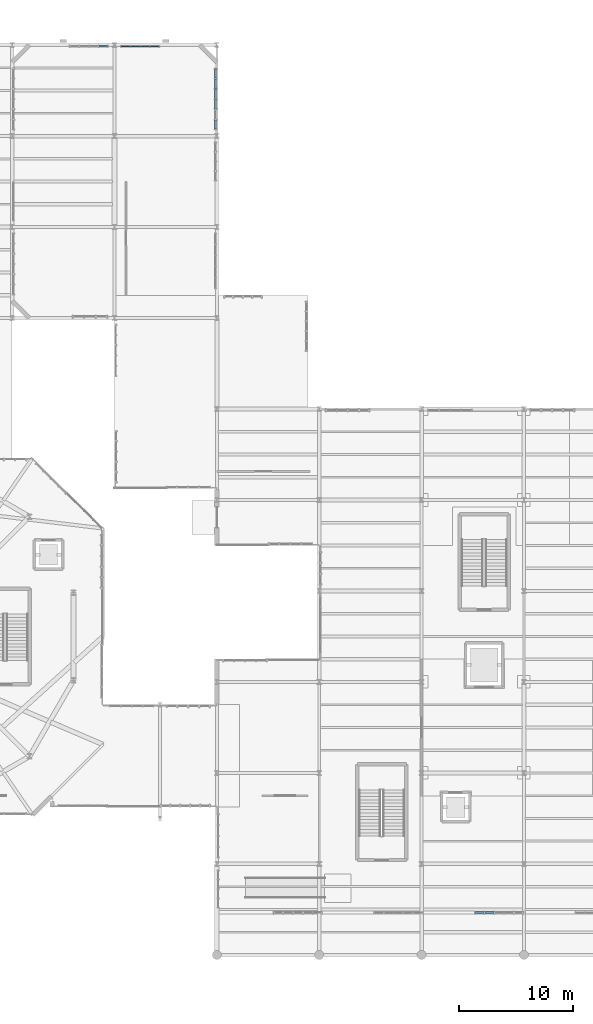
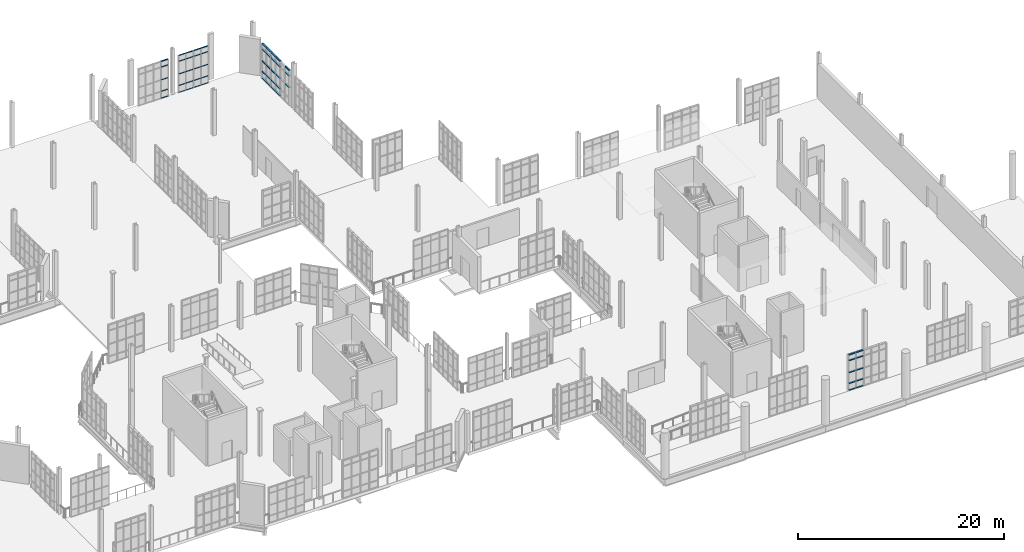
# One storey, part 138 of 189: 58 members, 4 elements without a shape of their own.
"""IFC4 building model written with IfcOpenShell, lengths in metres."""

from ifc_helpers import new_model, si_unit, direction, frame, origin, origin_2d, place, context, subcontext, project, spatial, hollow_rectangle, extrude, material, layer, layer_set, material_profile, profile_set, type_object, element, aggregate, save


model = new_model("IFC4")

# Units and contexts
model_context = context("Model", 3, precision=1e-05, world=origin(), true_north=direction((0.0, 1.0)))
body_context = subcontext(model_context, "Body", "Model", "MODEL_VIEW")
ifc_project = project(units=[si_unit("LENGTHUNIT", "METRE"), si_unit("AREAUNIT", "SQUARE_METRE"), si_unit("VOLUMEUNIT", "CUBIC_METRE"), si_unit("PLANEANGLEUNIT", "RADIAN"), si_unit("MASSUNIT", "GRAM", prefix="KILO"), si_unit("THERMODYNAMICTEMPERATUREUNIT", "KELVIN"), si_unit("POWERUNIT", "WATT")], contexts=[model_context])

# Site, building, storey
site_placement = place(None, origin())
site = spatial("IfcSite", under=ifc_project, at=site_placement, CompositionType="ELEMENT")
building_placement = place(site_placement, origin())
building = spatial("IfcBuilding", under=site, at=building_placement, Name="Zelmaris Science Centre", CompositionType="ELEMENT")
storey_placement = place(building_placement, origin())
storey = spatial("IfcBuildingStorey", under=building, at=storey_placement, Name="L00", CompositionType="ELEMENT", Elevation=0.0)

# Curtain wall, members
ifc_material = material(Name="Anodised architectural aluminium 6063-T6", Category="aluminium")
ifc_layer_1 = layer(ifc_material, 0.219970703125, Name="Anodised architectural aluminium 6063-T6")
ifc_layer_set_1 = layer_set([ifc_layer_1], Name="Anodised architectural aluminium 6063-T6")
curtain_wall_type_1 = type_object("IfcCurtainWallType", Name="Curtain Wall CW-04", PredefinedType="USERDEFINED", material=ifc_layer_set_1)
curtain_wall_1_placement = place(storey_placement, origin())
curtain_wall_1 = element("IfcCurtainWall", 1, at=curtain_wall_1_placement, inside=storey, type_object=curtain_wall_type_1, Name="L00 Unitised curtain wall 84", ObjectType="GLAZED CURTAIN WALL", PredefinedType="USERDEFINED")
ifc_material_profile_1 = material_profile(ifc_material, hollow_rectangle(XDim=0.06005859375, YDim=0.110107421875, WallThickness=0.0029296875, at=origin_2d()), Name="ALU-TRN-60X110")
ifc_profile_set_1 = profile_set([ifc_material_profile_1], Name="Anodised architectural aluminium 6063-T6")
member_type_1 = type_object("IfcMemberType", Name="ALU-TRN-60X110", PredefinedType="USERDEFINED", material=ifc_profile_set_1)
member_1_placement = place(storey_placement, frame((99.592041015625, 87.8798828125, 0.010986328125), z_axis=(1.0, 0.0, 0.0), x_axis=(0.0, 0.0, 1.0)))
member_1 = element("IfcMember", 2, at=member_1_placement, type_object=member_type_1, Name="CW-04 transom 1.1", ObjectType="TRANSOM", PredefinedType="USERDEFINED", context=body_context, shape_type="SweptSolid", body=[
    extrude(hollow_rectangle(XDim=0.06005859375, YDim=0.110107421875, WallThickness=0.0029296875, at=origin_2d()), origin(), (0.0, 0.0, 1.0), 0.77685546875),
])
member_2_placement = place(storey_placement, frame((99.592041015625, 87.8798828125, 0.8349609375), z_axis=(1.0, 0.0, 0.0), x_axis=(0.0, 0.0, 1.0)))
member_2 = element("IfcMember", 3, at=member_2_placement, type_object=member_type_1, Name="CW-04 transom 1.2", ObjectType="TRANSOM", PredefinedType="USERDEFINED", context=body_context, shape_type="SweptSolid", body=[
    extrude(hollow_rectangle(XDim=0.06005859375, YDim=0.110107421875, WallThickness=0.0029296875, at=origin_2d()), origin(), (0.0, 0.0, 1.0), 0.77685546875),
])
member_3_placement = place(storey_placement, frame((99.592041015625, 87.8798828125, 2.193603515625), z_axis=(1.0, 0.0, 0.0), x_axis=(0.0, 0.0, 1.0)))
member_3 = element("IfcMember", 4, at=member_3_placement, type_object=member_type_1, Name="CW-04 transom 1.3", ObjectType="TRANSOM", PredefinedType="USERDEFINED", context=body_context, shape_type="SweptSolid", body=[
    extrude(hollow_rectangle(XDim=0.06005859375, YDim=0.110107421875, WallThickness=0.0029296875, at=origin_2d()), origin(), (0.0, 0.0, 1.0), 0.77685546875),
])
member_4_placement = place(storey_placement, frame((99.592041015625, 87.8798828125, 3.701904296875), z_axis=(1.0, 0.0, 0.0), x_axis=(0.0, 0.0, 1.0)))
member_4 = element("IfcMember", 5, at=member_4_placement, type_object=member_type_1, Name="CW-04 transom 1.4", ObjectType="TRANSOM", PredefinedType="USERDEFINED", context=body_context, shape_type="SweptSolid", body=[
    extrude(hollow_rectangle(XDim=0.06005859375, YDim=0.110107421875, WallThickness=0.0029296875, at=origin_2d()), origin(), (0.0, 0.0, 1.0), 0.77685546875),
])
member_5_placement = place(storey_placement, frame((99.592041015625, 87.8798828125, 4.3759765625), z_axis=(1.0, 0.0, 0.0), x_axis=(0.0, 0.0, 1.0)))
member_5 = element("IfcMember", 6, at=member_5_placement, type_object=member_type_1, Name="CW-04 transom 1.5", ObjectType="TRANSOM", PredefinedType="USERDEFINED", context=body_context, shape_type="SweptSolid", body=[
    extrude(hollow_rectangle(XDim=0.06005859375, YDim=0.110107421875, WallThickness=0.0029296875, at=origin_2d()), origin(), (0.0, 0.0, 1.0), 0.77685546875),
])
member_6_placement = place(storey_placement, frame((100.4208984375, 87.8798828125, 0.010986328125), z_axis=(1.0, 0.0, 0.0), x_axis=(0.0, 0.0, 1.0)))
member_6 = element("IfcMember", 7, at=member_6_placement, type_object=member_type_1, Name="CW-04 transom 2.1", ObjectType="TRANSOM", PredefinedType="USERDEFINED", context=body_context, shape_type="SweptSolid", body=[
    extrude(hollow_rectangle(XDim=0.06005859375, YDim=0.110107421875, WallThickness=0.0029296875, at=origin_2d()), origin(), (0.0, 0.0, 1.0), 0.80322265625),
])
member_7_placement = place(storey_placement, frame((100.4208984375, 87.8798828125, 0.8349609375), z_axis=(1.0, 0.0, 0.0), x_axis=(0.0, 0.0, 1.0)))
member_7 = element("IfcMember", 8, at=member_7_placement, type_object=member_type_1, Name="CW-04 transom 2.2", ObjectType="TRANSOM", PredefinedType="USERDEFINED", context=body_context, shape_type="SweptSolid", body=[
    extrude(hollow_rectangle(XDim=0.06005859375, YDim=0.110107421875, WallThickness=0.0029296875, at=origin_2d()), origin(), (0.0, 0.0, 1.0), 0.80322265625),
])
member_8_placement = place(storey_placement, frame((100.4208984375, 87.8798828125, 2.193603515625), z_axis=(1.0, 0.0, 0.0), x_axis=(0.0, 0.0, 1.0)))
member_8 = element("IfcMember", 9, at=member_8_placement, type_object=member_type_1, Name="CW-04 transom 2.3", ObjectType="TRANSOM", PredefinedType="USERDEFINED", context=body_context, shape_type="SweptSolid", body=[
    extrude(hollow_rectangle(XDim=0.06005859375, YDim=0.110107421875, WallThickness=0.0029296875, at=origin_2d()), origin(), (0.0, 0.0, 1.0), 0.80322265625),
])
member_9_placement = place(storey_placement, frame((100.4208984375, 87.8798828125, 3.701904296875), z_axis=(1.0, 0.0, 0.0), x_axis=(0.0, 0.0, 1.0)))
member_9 = element("IfcMember", 10, at=member_9_placement, type_object=member_type_1, Name="CW-04 transom 2.4", ObjectType="TRANSOM", PredefinedType="USERDEFINED", context=body_context, shape_type="SweptSolid", body=[
    extrude(hollow_rectangle(XDim=0.06005859375, YDim=0.110107421875, WallThickness=0.0029296875, at=origin_2d()), origin(), (0.0, 0.0, 1.0), 0.80322265625),
])
member_10_placement = place(storey_placement, frame((100.4208984375, 87.8798828125, 4.3759765625), z_axis=(1.0, 0.0, 0.0), x_axis=(0.0, 0.0, 1.0)))
member_10 = element("IfcMember", 11, at=member_10_placement, type_object=member_type_1, Name="CW-04 transom 2.5", ObjectType="TRANSOM", PredefinedType="USERDEFINED", context=body_context, shape_type="SweptSolid", body=[
    extrude(hollow_rectangle(XDim=0.06005859375, YDim=0.110107421875, WallThickness=0.0029296875, at=origin_2d()), origin(), (0.0, 0.0, 1.0), 0.80322265625),
])
member_11_placement = place(storey_placement, frame((101.27587890625, 87.8798828125, 0.010986328125), z_axis=(1.0, 0.0, 0.0), x_axis=(0.0, 0.0, 1.0)))
member_11 = element("IfcMember", 12, at=member_11_placement, type_object=member_type_1, Name="CW-04 transom 3.1", ObjectType="TRANSOM", PredefinedType="USERDEFINED", context=body_context, shape_type="SweptSolid", body=[
    extrude(hollow_rectangle(XDim=0.06005859375, YDim=0.110107421875, WallThickness=0.0029296875, at=origin_2d()), origin(), (0.0, 0.0, 1.0), 0.80322265625),
])
member_12_placement = place(storey_placement, frame((101.27587890625, 87.8798828125, 0.8349609375), z_axis=(1.0, 0.0, 0.0), x_axis=(0.0, 0.0, 1.0)))
member_12 = element("IfcMember", 13, at=member_12_placement, type_object=member_type_1, Name="CW-04 transom 3.2", ObjectType="TRANSOM", PredefinedType="USERDEFINED", context=body_context, shape_type="SweptSolid", body=[
    extrude(hollow_rectangle(XDim=0.06005859375, YDim=0.110107421875, WallThickness=0.0029296875, at=origin_2d()), origin(), (0.0, 0.0, 1.0), 0.80322265625),
])
member_13_placement = place(storey_placement, frame((101.27587890625, 87.8798828125, 2.193603515625), z_axis=(1.0, 0.0, 0.0), x_axis=(0.0, 0.0, 1.0)))
member_13 = element("IfcMember", 14, at=member_13_placement, type_object=member_type_1, Name="CW-04 transom 3.3", ObjectType="TRANSOM", PredefinedType="USERDEFINED", context=body_context, shape_type="SweptSolid", body=[
    extrude(hollow_rectangle(XDim=0.06005859375, YDim=0.110107421875, WallThickness=0.0029296875, at=origin_2d()), origin(), (0.0, 0.0, 1.0), 0.80322265625),
])
member_14_placement = place(storey_placement, frame((101.27587890625, 87.8798828125, 3.701904296875), z_axis=(1.0, 0.0, 0.0), x_axis=(0.0, 0.0, 1.0)))
member_14 = element("IfcMember", 15, at=member_14_placement, type_object=member_type_1, Name="CW-04 transom 3.4", ObjectType="TRANSOM", PredefinedType="USERDEFINED", context=body_context, shape_type="SweptSolid", body=[
    extrude(hollow_rectangle(XDim=0.06005859375, YDim=0.110107421875, WallThickness=0.0029296875, at=origin_2d()), origin(), (0.0, 0.0, 1.0), 0.80322265625),
])
member_15_placement = place(storey_placement, frame((101.27587890625, 87.8798828125, 4.3759765625), z_axis=(1.0, 0.0, 0.0), x_axis=(0.0, 0.0, 1.0)))
member_15 = element("IfcMember", 16, at=member_15_placement, type_object=member_type_1, Name="CW-04 transom 3.5", ObjectType="TRANSOM", PredefinedType="USERDEFINED", context=body_context, shape_type="SweptSolid", body=[
    extrude(hollow_rectangle(XDim=0.06005859375, YDim=0.110107421875, WallThickness=0.0029296875, at=origin_2d()), origin(), (0.0, 0.0, 1.0), 0.80322265625),
])
member_16_placement = place(storey_placement, frame((102.131103515625, 87.8798828125, 0.010986328125), z_axis=(1.0, 0.0, 0.0), x_axis=(0.0, 0.0, 1.0)))
member_16 = element("IfcMember", 17, at=member_16_placement, type_object=member_type_1, Name="CW-04 transom 4.1", ObjectType="TRANSOM", PredefinedType="USERDEFINED", context=body_context, shape_type="SweptSolid", body=[
    extrude(hollow_rectangle(XDim=0.06005859375, YDim=0.110107421875, WallThickness=0.0029296875, at=origin_2d()), origin(), (0.0, 0.0, 1.0), 0.77685546875),
])
member_17_placement = place(storey_placement, frame((102.131103515625, 87.8798828125, 0.8349609375), z_axis=(1.0, 0.0, 0.0), x_axis=(0.0, 0.0, 1.0)))
member_17 = element("IfcMember", 18, at=member_17_placement, type_object=member_type_1, Name="CW-04 transom 4.2", ObjectType="TRANSOM", PredefinedType="USERDEFINED", context=body_context, shape_type="SweptSolid", body=[
    extrude(hollow_rectangle(XDim=0.06005859375, YDim=0.110107421875, WallThickness=0.0029296875, at=origin_2d()), origin(), (0.0, 0.0, 1.0), 0.77685546875),
])
member_18_placement = place(storey_placement, frame((102.131103515625, 87.8798828125, 2.193603515625), z_axis=(1.0, 0.0, 0.0), x_axis=(0.0, 0.0, 1.0)))
member_18 = element("IfcMember", 19, at=member_18_placement, type_object=member_type_1, Name="CW-04 transom 4.3", ObjectType="TRANSOM", PredefinedType="USERDEFINED", context=body_context, shape_type="SweptSolid", body=[
    extrude(hollow_rectangle(XDim=0.06005859375, YDim=0.110107421875, WallThickness=0.0029296875, at=origin_2d()), origin(), (0.0, 0.0, 1.0), 0.77685546875),
])
member_19_placement = place(storey_placement, frame((102.131103515625, 87.8798828125, 3.701904296875), z_axis=(1.0, 0.0, 0.0), x_axis=(0.0, 0.0, 1.0)))
member_19 = element("IfcMember", 20, at=member_19_placement, type_object=member_type_1, Name="CW-04 transom 4.4", ObjectType="TRANSOM", PredefinedType="USERDEFINED", context=body_context, shape_type="SweptSolid", body=[
    extrude(hollow_rectangle(XDim=0.06005859375, YDim=0.110107421875, WallThickness=0.0029296875, at=origin_2d()), origin(), (0.0, 0.0, 1.0), 0.77685546875),
])
member_20_placement = place(storey_placement, frame((102.131103515625, 87.8798828125, 4.3759765625), z_axis=(1.0, 0.0, 0.0), x_axis=(0.0, 0.0, 1.0)))
member_20 = element("IfcMember", 21, at=member_20_placement, type_object=member_type_1, Name="CW-04 transom 4.5", ObjectType="TRANSOM", PredefinedType="USERDEFINED", context=body_context, shape_type="SweptSolid", body=[
    extrude(hollow_rectangle(XDim=0.06005859375, YDim=0.110107421875, WallThickness=0.0029296875, at=origin_2d()), origin(), (0.0, 0.0, 1.0), 0.77685546875),
])
aggregate(curtain_wall_1, [member_1, member_2, member_3, member_4, member_5, member_6, member_7, member_8, member_9, member_10, member_11, member_12, member_13, member_14, member_15, member_16, member_17, member_18, member_19, member_20])

ifc_layer_2 = layer(ifc_material, 0.2099609375, Name="Anodised architectural aluminium 6063-T6")
ifc_layer_set_2 = layer_set([ifc_layer_2], Name="Anodised architectural aluminium 6063-T6")
curtain_wall_type_2 = type_object("IfcCurtainWallType", Name="Curtain Wall CW-03", PredefinedType="USERDEFINED", material=ifc_layer_set_2)
curtain_wall_2_placement = place(storey_placement, origin())
curtain_wall_2 = element("IfcCurtainWall", 22, at=curtain_wall_2_placement, inside=storey, type_object=curtain_wall_type_2, Name="L00 Unitised curtain wall 83", ObjectType="GLAZED CURTAIN WALL", PredefinedType="USERDEFINED")
ifc_material_profile_2 = material_profile(ifc_material, hollow_rectangle(XDim=0.06494140625, YDim=0.1298828125, WallThickness=0.00341796875, at=origin_2d()), Name="ALU-TRN-65X130")
ifc_profile_set_2 = profile_set([ifc_material_profile_2], Name="Anodised architectural aluminium 6063-T6")
member_type_2 = type_object("IfcMemberType", Name="ALU-TRN-65X130", PredefinedType="USERDEFINED", material=ifc_profile_set_2)
member_21_placement = place(storey_placement, frame((97.633544921875, 87.8798828125, 0.013427734375), z_axis=(1.0, 0.0, 0.0), x_axis=(0.0, 0.0, 1.0)))
member_21 = element("IfcMember", 23, at=member_21_placement, type_object=member_type_2, Name="CW-03 transom 4.1", ObjectType="TRANSOM", PredefinedType="USERDEFINED", context=body_context, shape_type="SweptSolid", body=[
    extrude(hollow_rectangle(XDim=0.06494140625, YDim=0.1298828125, WallThickness=0.00341796875, at=origin_2d()), origin(), (0.0, 0.0, 1.0), 0.76953125),
])
member_22_placement = place(storey_placement, frame((97.633544921875, 87.8798828125, 0.8349609375), z_axis=(1.0, 0.0, 0.0), x_axis=(0.0, 0.0, 1.0)))
member_22 = element("IfcMember", 24, at=member_22_placement, type_object=member_type_2, Name="CW-03 transom 4.2", ObjectType="TRANSOM", PredefinedType="USERDEFINED", context=body_context, shape_type="SweptSolid", body=[
    extrude(hollow_rectangle(XDim=0.06494140625, YDim=0.1298828125, WallThickness=0.00341796875, at=origin_2d()), origin(), (0.0, 0.0, 1.0), 0.76953125),
])
member_23_placement = place(storey_placement, frame((97.633544921875, 87.8798828125, 2.193603515625), z_axis=(1.0, 0.0, 0.0), x_axis=(0.0, 0.0, 1.0)))
member_23 = element("IfcMember", 25, at=member_23_placement, type_object=member_type_2, Name="CW-03 transom 4.3", ObjectType="TRANSOM", PredefinedType="USERDEFINED", context=body_context, shape_type="SweptSolid", body=[
    extrude(hollow_rectangle(XDim=0.06494140625, YDim=0.1298828125, WallThickness=0.00341796875, at=origin_2d()), origin(), (0.0, 0.0, 1.0), 0.76953125),
])
member_24_placement = place(storey_placement, frame((97.633544921875, 87.8798828125, 3.701904296875), z_axis=(1.0, 0.0, 0.0), x_axis=(0.0, 0.0, 1.0)))
member_24 = element("IfcMember", 26, at=member_24_placement, type_object=member_type_2, Name="CW-03 transom 4.4", ObjectType="TRANSOM", PredefinedType="USERDEFINED", context=body_context, shape_type="SweptSolid", body=[
    extrude(hollow_rectangle(XDim=0.06494140625, YDim=0.1298828125, WallThickness=0.00341796875, at=origin_2d()), origin(), (0.0, 0.0, 1.0), 0.76953125),
])
member_25_placement = place(storey_placement, frame((97.633544921875, 87.8798828125, 4.37353515625), z_axis=(1.0, 0.0, 0.0), x_axis=(0.0, 0.0, 1.0)))
member_25 = element("IfcMember", 27, at=member_25_placement, type_object=member_type_2, Name="CW-03 transom 4.5", ObjectType="TRANSOM", PredefinedType="USERDEFINED", context=body_context, shape_type="SweptSolid", body=[
    extrude(hollow_rectangle(XDim=0.06494140625, YDim=0.1298828125, WallThickness=0.00341796875, at=origin_2d()), origin(), (0.0, 0.0, 1.0), 0.76953125),
])
aggregate(curtain_wall_2, [member_21, member_22, member_23, member_24, member_25])

ifc_layer_3 = layer(ifc_material, 0.18994140625, Name="Anodised architectural aluminium 6063-T6")
ifc_layer_set_3 = layer_set([ifc_layer_3], Name="Anodised architectural aluminium 6063-T6")
curtain_wall_type_3 = type_object("IfcCurtainWallType", Name="Curtain Wall CW-01", PredefinedType="USERDEFINED", material=ifc_layer_set_3)
curtain_wall_3_placement = place(storey_placement, origin())
curtain_wall_3 = element("IfcCurtainWall", 28, at=curtain_wall_3_placement, inside=storey, type_object=curtain_wall_type_3, Name="L00 Unitised curtain wall 85", ObjectType="GLAZED CURTAIN WALL", PredefinedType="USERDEFINED")
ifc_material_profile_3 = material_profile(ifc_material, hollow_rectangle(XDim=0.080078125, YDim=0.18994140625, WallThickness=0.00439453125, at=origin_2d()), Name="ALU-TRN-80X190")
ifc_profile_set_3 = profile_set([ifc_material_profile_3], Name="Anodised architectural aluminium 6063-T6")
member_type_3 = type_object("IfcMemberType", Name="ALU-TRN-80X190", PredefinedType="USERDEFINED", material=ifc_profile_set_3)
member_26_placement = place(storey_placement, frame((107.880126953125, 85.887939453125, 0.02099609375), z_axis=(0.0, -1.0, 0.0), x_axis=(0.0, 0.0, 1.0)))
member_26 = element("IfcMember", 29, at=member_26_placement, type_object=member_type_3, Name="CW-01 transom 1.1", ObjectType="TRANSOM", PredefinedType="USERDEFINED", context=body_context, shape_type="SweptSolid", body=[
    extrude(hollow_rectangle(XDim=0.080078125, YDim=0.18994140625, WallThickness=0.00439453125, at=origin_2d()), origin(), (0.0, 0.0, 1.0), 0.795166015625),
])
member_27_placement = place(storey_placement, frame((107.880126953125, 85.887939453125, 0.8349609375), z_axis=(0.0, -1.0, 0.0), x_axis=(0.0, 0.0, 1.0)))
member_27 = element("IfcMember", 30, at=member_27_placement, type_object=member_type_3, Name="CW-01 transom 1.2", ObjectType="TRANSOM", PredefinedType="USERDEFINED", context=body_context, shape_type="SweptSolid", body=[
    extrude(hollow_rectangle(XDim=0.080078125, YDim=0.18994140625, WallThickness=0.00439453125, at=origin_2d()), origin(), (0.0, 0.0, 1.0), 0.795166015625),
])
member_28_placement = place(storey_placement, frame((107.880126953125, 85.887939453125, 2.071533203125), z_axis=(0.0, -1.0, 0.0), x_axis=(0.0, 0.0, 1.0)))
member_28 = element("IfcMember", 31, at=member_28_placement, type_object=member_type_3, Name="CW-01 transom 1.3", ObjectType="TRANSOM", PredefinedType="USERDEFINED", context=body_context, shape_type="SweptSolid", body=[
    extrude(hollow_rectangle(XDim=0.080078125, YDim=0.18994140625, WallThickness=0.00439453125, at=origin_2d()), origin(), (0.0, 0.0, 1.0), 0.795166015625),
])
member_29_placement = place(storey_placement, frame((107.880126953125, 85.887939453125, 3.4580078125), z_axis=(0.0, -1.0, 0.0), x_axis=(0.0, 0.0, 1.0)))
member_29 = element("IfcMember", 32, at=member_29_placement, type_object=member_type_3, Name="CW-01 transom 1.4", ObjectType="TRANSOM", PredefinedType="USERDEFINED", context=body_context, shape_type="SweptSolid", body=[
    extrude(hollow_rectangle(XDim=0.080078125, YDim=0.18994140625, WallThickness=0.00439453125, at=origin_2d()), origin(), (0.0, 0.0, 1.0), 0.795166015625),
])
member_30_placement = place(storey_placement, frame((107.880126953125, 85.887939453125, 4.1220703125), z_axis=(0.0, -1.0, 0.0), x_axis=(0.0, 0.0, 1.0)))
member_30 = element("IfcMember", 33, at=member_30_placement, type_object=member_type_3, Name="CW-01 transom 1.5", ObjectType="TRANSOM", PredefinedType="USERDEFINED", context=body_context, shape_type="SweptSolid", body=[
    extrude(hollow_rectangle(XDim=0.080078125, YDim=0.18994140625, WallThickness=0.00439453125, at=origin_2d()), origin(), (0.0, 0.0, 1.0), 0.795166015625),
])
member_31_placement = place(storey_placement, frame((107.880126953125, 85.020751953125, 0.02099609375), z_axis=(0.0, -1.0, 0.0), x_axis=(0.0, 0.0, 1.0)))
member_31 = element("IfcMember", 34, at=member_31_placement, type_object=member_type_3, Name="CW-01 transom 2.1", ObjectType="TRANSOM", PredefinedType="USERDEFINED", context=body_context, shape_type="SweptSolid", body=[
    extrude(hollow_rectangle(XDim=0.080078125, YDim=0.18994140625, WallThickness=0.00439453125, at=origin_2d()), origin(), (0.0, 0.0, 1.0), 0.831298828125),
])
member_32_placement = place(storey_placement, frame((107.880126953125, 85.020751953125, 0.8349609375), z_axis=(0.0, -1.0, 0.0), x_axis=(0.0, 0.0, 1.0)))
member_32 = element("IfcMember", 35, at=member_32_placement, type_object=member_type_3, Name="CW-01 transom 2.2", ObjectType="TRANSOM", PredefinedType="USERDEFINED", context=body_context, shape_type="SweptSolid", body=[
    extrude(hollow_rectangle(XDim=0.080078125, YDim=0.18994140625, WallThickness=0.00439453125, at=origin_2d()), origin(), (0.0, 0.0, 1.0), 0.831298828125),
])
member_33_placement = place(storey_placement, frame((107.880126953125, 85.020751953125, 2.071533203125), z_axis=(0.0, -1.0, 0.0), x_axis=(0.0, 0.0, 1.0)))
member_33 = element("IfcMember", 36, at=member_33_placement, type_object=member_type_3, Name="CW-01 transom 2.3", ObjectType="TRANSOM", PredefinedType="USERDEFINED", context=body_context, shape_type="SweptSolid", body=[
    extrude(hollow_rectangle(XDim=0.080078125, YDim=0.18994140625, WallThickness=0.00439453125, at=origin_2d()), origin(), (0.0, 0.0, 1.0), 0.831298828125),
])
member_34_placement = place(storey_placement, frame((107.880126953125, 85.020751953125, 3.4580078125), z_axis=(0.0, -1.0, 0.0), x_axis=(0.0, 0.0, 1.0)))
member_34 = element("IfcMember", 37, at=member_34_placement, type_object=member_type_3, Name="CW-01 transom 2.4", ObjectType="TRANSOM", PredefinedType="USERDEFINED", context=body_context, shape_type="SweptSolid", body=[
    extrude(hollow_rectangle(XDim=0.080078125, YDim=0.18994140625, WallThickness=0.00439453125, at=origin_2d()), origin(), (0.0, 0.0, 1.0), 0.831298828125),
])
member_35_placement = place(storey_placement, frame((107.880126953125, 85.020751953125, 4.1220703125), z_axis=(0.0, -1.0, 0.0), x_axis=(0.0, 0.0, 1.0)))
member_35 = element("IfcMember", 38, at=member_35_placement, type_object=member_type_3, Name="CW-01 transom 2.5", ObjectType="TRANSOM", PredefinedType="USERDEFINED", context=body_context, shape_type="SweptSolid", body=[
    extrude(hollow_rectangle(XDim=0.080078125, YDim=0.18994140625, WallThickness=0.00439453125, at=origin_2d()), origin(), (0.0, 0.0, 1.0), 0.831298828125),
])
member_36_placement = place(storey_placement, frame((107.880126953125, 84.117431640625, 0.02099609375), z_axis=(0.000293599518, -0.9999999569, 0.0), x_axis=(0.0, 0.0, 1.0)))
member_36 = element("IfcMember", 39, at=member_36_placement, type_object=member_type_3, Name="CW-01 transom 3.1", ObjectType="TRANSOM", PredefinedType="USERDEFINED", context=body_context, shape_type="SweptSolid", body=[
    extrude(hollow_rectangle(XDim=0.080078125, YDim=0.18994140625, WallThickness=0.00439453125, at=origin_2d()), origin(), (0.0, 0.0, 1.0), 0.83154296875),
])
member_37_placement = place(storey_placement, frame((107.880126953125, 84.117431640625, 0.8349609375), z_axis=(0.000293599518, -0.9999999569, 0.0), x_axis=(0.0, 0.0, 1.0)))
member_37 = element("IfcMember", 40, at=member_37_placement, type_object=member_type_3, Name="CW-01 transom 3.2", ObjectType="TRANSOM", PredefinedType="USERDEFINED", context=body_context, shape_type="SweptSolid", body=[
    extrude(hollow_rectangle(XDim=0.080078125, YDim=0.18994140625, WallThickness=0.00439453125, at=origin_2d()), origin(), (0.0, 0.0, 1.0), 0.83154296875),
])
member_38_placement = place(storey_placement, frame((107.880126953125, 84.117431640625, 2.071533203125), z_axis=(0.000293599518, -0.9999999569, 0.0), x_axis=(0.0, 0.0, 1.0)))
member_38 = element("IfcMember", 41, at=member_38_placement, type_object=member_type_3, Name="CW-01 transom 3.3", ObjectType="TRANSOM", PredefinedType="USERDEFINED", context=body_context, shape_type="SweptSolid", body=[
    extrude(hollow_rectangle(XDim=0.080078125, YDim=0.18994140625, WallThickness=0.00439453125, at=origin_2d()), origin(), (0.0, 0.0, 1.0), 0.83154296875),
])
member_39_placement = place(storey_placement, frame((107.880126953125, 84.117431640625, 3.4580078125), z_axis=(0.000293599518, -0.9999999569, 0.0), x_axis=(0.0, 0.0, 1.0)))
member_39 = element("IfcMember", 42, at=member_39_placement, type_object=member_type_3, Name="CW-01 transom 3.4", ObjectType="TRANSOM", PredefinedType="USERDEFINED", context=body_context, shape_type="SweptSolid", body=[
    extrude(hollow_rectangle(XDim=0.080078125, YDim=0.18994140625, WallThickness=0.00439453125, at=origin_2d()), origin(), (0.0, 0.0, 1.0), 0.83154296875),
])
member_40_placement = place(storey_placement, frame((107.880126953125, 84.117431640625, 4.1220703125), z_axis=(0.000293599518, -0.9999999569, 0.0), x_axis=(0.0, 0.0, 1.0)))
member_40 = element("IfcMember", 43, at=member_40_placement, type_object=member_type_3, Name="CW-01 transom 3.5", ObjectType="TRANSOM", PredefinedType="USERDEFINED", context=body_context, shape_type="SweptSolid", body=[
    extrude(hollow_rectangle(XDim=0.080078125, YDim=0.18994140625, WallThickness=0.00439453125, at=origin_2d()), origin(), (0.0, 0.0, 1.0), 0.83154296875),
])
member_41_placement = place(storey_placement, frame((107.88037109375, 83.214111328125, 0.02099609375), z_axis=(0.0, -1.0, 0.0), x_axis=(0.0, 0.0, 1.0)))
member_41 = element("IfcMember", 44, at=member_41_placement, type_object=member_type_3, Name="CW-01 transom 4.1", ObjectType="TRANSOM", PredefinedType="USERDEFINED", context=body_context, shape_type="SweptSolid", body=[
    extrude(hollow_rectangle(XDim=0.080078125, YDim=0.18994140625, WallThickness=0.00439453125, at=origin_2d()), origin(), (0.0, 0.0, 1.0), 0.83154296875),
])
member_42_placement = place(storey_placement, frame((107.88037109375, 83.214111328125, 0.8349609375), z_axis=(0.0, -1.0, 0.0), x_axis=(0.0, 0.0, 1.0)))
member_42 = element("IfcMember", 45, at=member_42_placement, type_object=member_type_3, Name="CW-01 transom 4.2", ObjectType="TRANSOM", PredefinedType="USERDEFINED", context=body_context, shape_type="SweptSolid", body=[
    extrude(hollow_rectangle(XDim=0.080078125, YDim=0.18994140625, WallThickness=0.00439453125, at=origin_2d()), origin(), (0.0, 0.0, 1.0), 0.83154296875),
])
member_43_placement = place(storey_placement, frame((107.88037109375, 83.214111328125, 2.071533203125), z_axis=(0.0, -1.0, 0.0), x_axis=(0.0, 0.0, 1.0)))
member_43 = element("IfcMember", 46, at=member_43_placement, type_object=member_type_3, Name="CW-01 transom 4.3", ObjectType="TRANSOM", PredefinedType="USERDEFINED", context=body_context, shape_type="SweptSolid", body=[
    extrude(hollow_rectangle(XDim=0.080078125, YDim=0.18994140625, WallThickness=0.00439453125, at=origin_2d()), origin(), (0.0, 0.0, 1.0), 0.83154296875),
])
member_44_placement = place(storey_placement, frame((107.88037109375, 83.214111328125, 3.4580078125), z_axis=(0.0, -1.0, 0.0), x_axis=(0.0, 0.0, 1.0)))
member_44 = element("IfcMember", 47, at=member_44_placement, type_object=member_type_3, Name="CW-01 transom 4.4", ObjectType="TRANSOM", PredefinedType="USERDEFINED", context=body_context, shape_type="SweptSolid", body=[
    extrude(hollow_rectangle(XDim=0.080078125, YDim=0.18994140625, WallThickness=0.00439453125, at=origin_2d()), origin(), (0.0, 0.0, 1.0), 0.83154296875),
])
member_45_placement = place(storey_placement, frame((107.88037109375, 83.214111328125, 4.1220703125), z_axis=(0.0, -1.0, 0.0), x_axis=(0.0, 0.0, 1.0)))
member_45 = element("IfcMember", 48, at=member_45_placement, type_object=member_type_3, Name="CW-01 transom 4.5", ObjectType="TRANSOM", PredefinedType="USERDEFINED", context=body_context, shape_type="SweptSolid", body=[
    extrude(hollow_rectangle(XDim=0.080078125, YDim=0.18994140625, WallThickness=0.00439453125, at=origin_2d()), origin(), (0.0, 0.0, 1.0), 0.83154296875),
])
member_46_placement = place(storey_placement, frame((107.880615234375, 81.4072265625, 2.071533203125), z_axis=(0.0, -1.0, 0.0), x_axis=(0.0, 0.0, 1.0)))
member_46 = element("IfcMember", 49, at=member_46_placement, type_object=member_type_3, Name="CW-01 transom 6.3", ObjectType="TRANSOM", PredefinedType="USERDEFINED", context=body_context, shape_type="SweptSolid", body=[
    extrude(hollow_rectangle(XDim=0.080078125, YDim=0.18994140625, WallThickness=0.00439453125, at=origin_2d()), origin(), (0.0, 0.0, 1.0), 0.795166015625),
])
member_47_placement = place(storey_placement, frame((107.880615234375, 81.4072265625, 3.4580078125), z_axis=(0.0, -1.0, 0.0), x_axis=(0.0, 0.0, 1.0)))
member_47 = element("IfcMember", 50, at=member_47_placement, type_object=member_type_3, Name="CW-01 transom 6.4", ObjectType="TRANSOM", PredefinedType="USERDEFINED", context=body_context, shape_type="SweptSolid", body=[
    extrude(hollow_rectangle(XDim=0.080078125, YDim=0.18994140625, WallThickness=0.00439453125, at=origin_2d()), origin(), (0.0, 0.0, 1.0), 0.795166015625),
])
member_48_placement = place(storey_placement, frame((107.880615234375, 81.4072265625, 4.1220703125), z_axis=(0.0, -1.0, 0.0), x_axis=(0.0, 0.0, 1.0)))
member_48 = element("IfcMember", 51, at=member_48_placement, type_object=member_type_3, Name="CW-01 transom 6.5", ObjectType="TRANSOM", PredefinedType="USERDEFINED", context=body_context, shape_type="SweptSolid", body=[
    extrude(hollow_rectangle(XDim=0.080078125, YDim=0.18994140625, WallThickness=0.00439453125, at=origin_2d()), origin(), (0.0, 0.0, 1.0), 0.795166015625),
])
aggregate(curtain_wall_3, [member_26, member_27, member_28, member_29, member_30, member_31, member_32, member_33, member_34, member_35, member_36, member_37, member_38, member_39, member_40, member_41, member_42, member_43, member_44, member_45, member_46, member_47, member_48])

curtain_wall_4_placement = place(storey_placement, origin())
curtain_wall_4 = element("IfcCurtainWall", 52, at=curtain_wall_4_placement, inside=storey, type_object=curtain_wall_type_3, Name="L00 Unitised curtain wall 105", ObjectType="GLAZED CURTAIN WALL", PredefinedType="USERDEFINED")
member_49_placement = place(storey_placement, frame((132.34423828125, 11.72021484375, 0.02099609375), z_axis=(-1.0, 0.0, 0.0), x_axis=(0.0, 0.0, 1.0)))
member_49 = element("IfcMember", 53, at=member_49_placement, type_object=member_type_3, Name="CW-01 transom 4.1", ObjectType="TRANSOM", PredefinedType="USERDEFINED", context=body_context, shape_type="SweptSolid", body=[
    extrude(hollow_rectangle(XDim=0.080078125, YDim=0.18994140625, WallThickness=0.00439453125, at=origin_2d()), origin(), (0.0, 0.0, 1.0), 0.788818359375),
])
member_50_placement = place(storey_placement, frame((132.34423828125, 11.72021484375, 0.8349609375), z_axis=(-1.0, 0.0, 0.0), x_axis=(0.0, 0.0, 1.0)))
member_50 = element("IfcMember", 54, at=member_50_placement, type_object=member_type_3, Name="CW-01 transom 4.2", ObjectType="TRANSOM", PredefinedType="USERDEFINED", context=body_context, shape_type="SweptSolid", body=[
    extrude(hollow_rectangle(XDim=0.080078125, YDim=0.18994140625, WallThickness=0.00439453125, at=origin_2d()), origin(), (0.0, 0.0, 1.0), 0.788818359375),
])
member_51_placement = place(storey_placement, frame((132.34423828125, 11.72021484375, 2.114501953125), z_axis=(-1.0, 0.0, 0.0), x_axis=(0.0, 0.0, 1.0)))
member_51 = element("IfcMember", 55, at=member_51_placement, type_object=member_type_3, Name="CW-01 transom 4.3", ObjectType="TRANSOM", PredefinedType="USERDEFINED", context=body_context, shape_type="SweptSolid", body=[
    extrude(hollow_rectangle(XDim=0.080078125, YDim=0.18994140625, WallThickness=0.00439453125, at=origin_2d()), origin(), (0.0, 0.0, 1.0), 0.788818359375),
])
member_52_placement = place(storey_placement, frame((132.34423828125, 11.72021484375, 3.5439453125), z_axis=(-1.0, 0.0, 0.0), x_axis=(0.0, 0.0, 1.0)))
member_52 = element("IfcMember", 56, at=member_52_placement, type_object=member_type_3, Name="CW-01 transom 4.4", ObjectType="TRANSOM", PredefinedType="USERDEFINED", context=body_context, shape_type="SweptSolid", body=[
    extrude(hollow_rectangle(XDim=0.080078125, YDim=0.18994140625, WallThickness=0.00439453125, at=origin_2d()), origin(), (0.0, 0.0, 1.0), 0.788818359375),
])
member_53_placement = place(storey_placement, frame((132.34423828125, 11.72021484375, 4.2080078125), z_axis=(-1.0, 0.0, 0.0), x_axis=(0.0, 0.0, 1.0)))
member_53 = element("IfcMember", 57, at=member_53_placement, type_object=member_type_3, Name="CW-01 transom 4.5", ObjectType="TRANSOM", PredefinedType="USERDEFINED", context=body_context, shape_type="SweptSolid", body=[
    extrude(hollow_rectangle(XDim=0.080078125, YDim=0.18994140625, WallThickness=0.00439453125, at=origin_2d()), origin(), (0.0, 0.0, 1.0), 0.788818359375),
])
member_54_placement = place(storey_placement, frame((131.483642578125, 11.72021484375, 0.02099609375), z_axis=(-1.0, 0.0, 0.0), x_axis=(0.0, 0.0, 1.0)))
member_54 = element("IfcMember", 58, at=member_54_placement, type_object=member_type_3, Name="CW-01 transom 5.1", ObjectType="TRANSOM", PredefinedType="USERDEFINED", context=body_context, shape_type="SweptSolid", body=[
    extrude(hollow_rectangle(XDim=0.080078125, YDim=0.18994140625, WallThickness=0.00439453125, at=origin_2d()), origin(), (0.0, 0.0, 1.0), 0.7529296875),
])
member_55_placement = place(storey_placement, frame((131.483642578125, 11.72021484375, 0.8349609375), z_axis=(-1.0, 0.0, 0.0), x_axis=(0.0, 0.0, 1.0)))
member_55 = element("IfcMember", 59, at=member_55_placement, type_object=member_type_3, Name="CW-01 transom 5.2", ObjectType="TRANSOM", PredefinedType="USERDEFINED", context=body_context, shape_type="SweptSolid", body=[
    extrude(hollow_rectangle(XDim=0.080078125, YDim=0.18994140625, WallThickness=0.00439453125, at=origin_2d()), origin(), (0.0, 0.0, 1.0), 0.7529296875),
])
member_56_placement = place(storey_placement, frame((131.483642578125, 11.72021484375, 2.114501953125), z_axis=(-1.0, 0.0, 0.0), x_axis=(0.0, 0.0, 1.0)))
member_56 = element("IfcMember", 60, at=member_56_placement, type_object=member_type_3, Name="CW-01 transom 5.3", ObjectType="TRANSOM", PredefinedType="USERDEFINED", context=body_context, shape_type="SweptSolid", body=[
    extrude(hollow_rectangle(XDim=0.080078125, YDim=0.18994140625, WallThickness=0.00439453125, at=origin_2d()), origin(), (0.0, 0.0, 1.0), 0.7529296875),
])
member_57_placement = place(storey_placement, frame((131.483642578125, 11.72021484375, 3.5439453125), z_axis=(-1.0, 0.0, 0.0), x_axis=(0.0, 0.0, 1.0)))
member_57 = element("IfcMember", 61, at=member_57_placement, type_object=member_type_3, Name="CW-01 transom 5.4", ObjectType="TRANSOM", PredefinedType="USERDEFINED", context=body_context, shape_type="SweptSolid", body=[
    extrude(hollow_rectangle(XDim=0.080078125, YDim=0.18994140625, WallThickness=0.00439453125, at=origin_2d()), origin(), (0.0, 0.0, 1.0), 0.7529296875),
])
member_58_placement = place(storey_placement, frame((131.483642578125, 11.72021484375, 4.2080078125), z_axis=(-1.0, 0.0, 0.0), x_axis=(0.0, 0.0, 1.0)))
member_58 = element("IfcMember", 62, at=member_58_placement, type_object=member_type_3, Name="CW-01 transom 5.5", ObjectType="TRANSOM", PredefinedType="USERDEFINED", context=body_context, shape_type="SweptSolid", body=[
    extrude(hollow_rectangle(XDim=0.080078125, YDim=0.18994140625, WallThickness=0.00439453125, at=origin_2d()), origin(), (0.0, 0.0, 1.0), 0.7529296875),
])
aggregate(curtain_wall_4, [member_49, member_50, member_51, member_52, member_53, member_54, member_55, member_56, member_57, member_58])

save(model, "model.ifc")
